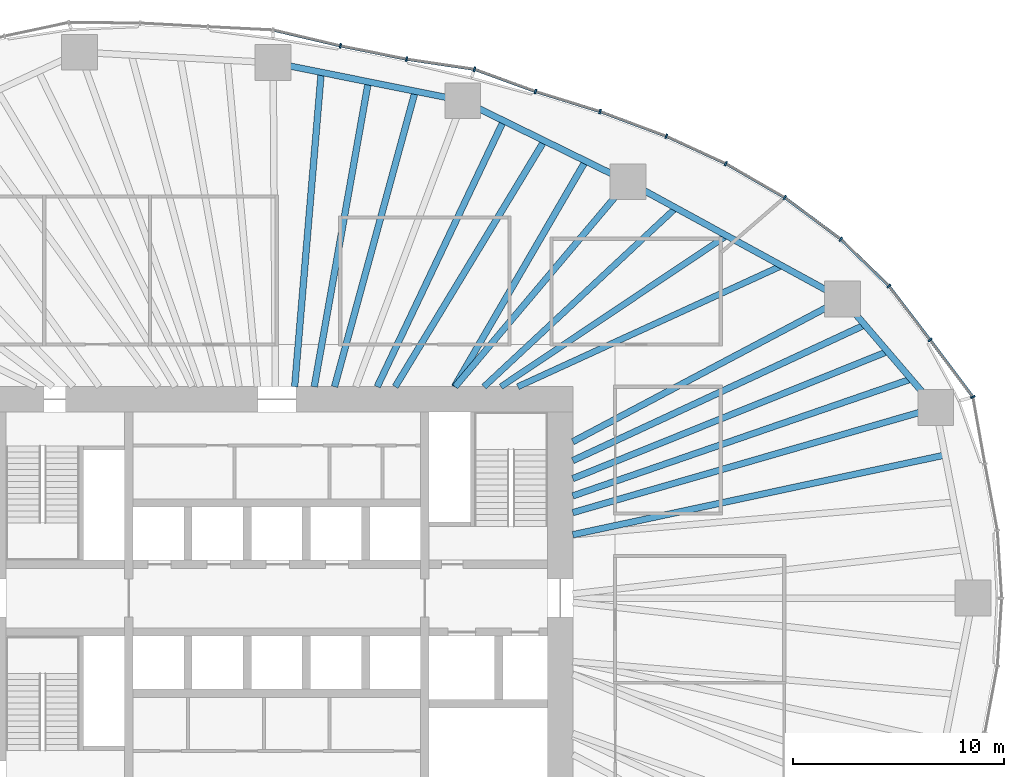
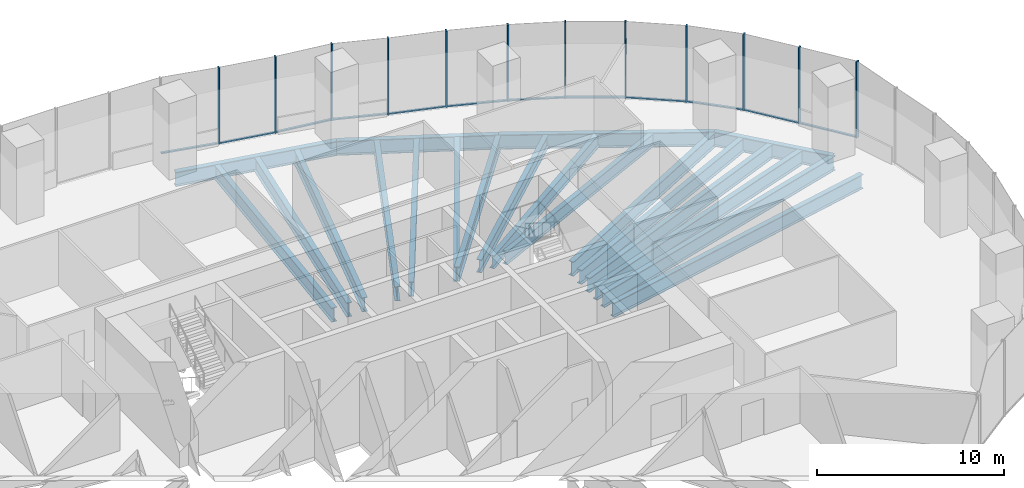
# One storey, part 6 of 20: 24 members, 20 beams, 4 elements without a shape of their own.
"""IFC4 building model written with IfcOpenShell, lengths in metres."""

from ifc_helpers import new_model, si_unit, direction, frame, origin, origin_2d, place, context, subcontext, project, spatial, rectangle, i_section, extrude, material, material_profile, profile_set, type_object, element, aggregate, save


model = new_model("IFC4")

# Units and contexts
model_context = context("Model", 3, precision=1e-05, world=origin(), true_north=direction((0.0, 1.0)))
body_context = subcontext(model_context, "Body", "Model", "MODEL_VIEW")
ifc_project = project(units=[si_unit("LENGTHUNIT", "METRE"), si_unit("AREAUNIT", "SQUARE_METRE"), si_unit("VOLUMEUNIT", "CUBIC_METRE"), si_unit("PLANEANGLEUNIT", "RADIAN"), si_unit("MASSUNIT", "GRAM", prefix="KILO")], contexts=[model_context])

# Site, building, storey
site_placement = place(None, origin())
site = spatial("IfcSite", under=ifc_project, at=site_placement, CompositionType="ELEMENT")
building_placement = place(site_placement, origin())
building = spatial("IfcBuilding", under=site, at=building_placement, Name="Ghaith Harvest Tower", CompositionType="ELEMENT")
storey_placement = place(building_placement, frame((0.0, 0.0, 85.0)))
storey = spatial("IfcBuildingStorey", under=building, at=storey_placement, Name="L17", CompositionType="ELEMENT", Elevation=85.0)

# Curtain wall, members
ifc_material_1 = material(Name="Black anodised aluminium and fritted glass", Category="aluminium")
curtain_wall_type = type_object("IfcCurtainWallType", Name="CW-F CURTAIN WALL", PredefinedType="NOTDEFINED", material=ifc_material_1)
curtain_wall_1_placement = place(storey_placement, origin())
curtain_wall_1 = element("IfcCurtainWall", 1, at=curtain_wall_1_placement, inside=storey, type_object=curtain_wall_type, Name="Curtain wall CW-F bay 02 L17", PredefinedType="NOTDEFINED")
ifc_material_2 = material(Name="Aluminium, black anodised", Category="aluminium")
ifc_material_profile_1 = material_profile(ifc_material_2, rectangle(XDim=0.080078125, YDim=0.219970703125, at=origin_2d()), Name="CW-F MULLION 80x220")
ifc_profile_set_1 = profile_set([ifc_material_profile_1], Name="Aluminium, black anodised")
member_type_1 = type_object("IfcMemberType", Name="CW-F MULLION 80x220", PredefinedType="MULLION", material=ifc_profile_set_1)
member_1_placement = place(storey_placement, frame((32.923583984375, 9.515625, 0.0), z_axis=(0.0, 0.0, 1.0), x_axis=(-0.404701693729, 0.914448762421, 0.0)))
member_1 = element("IfcMember", 2, at=member_1_placement, type_object=member_type_1, Name="CW-F mullion 1 bay 02 L17", PredefinedType="MULLION", context=body_context, shape_type="SweptSolid", body=[
    extrude(rectangle(XDim=0.080078125, YDim=0.219970703125, at=origin_2d()), origin(), (0.0, 0.0, 1.0), 5.0),
])
member_2_placement = place(storey_placement, frame((30.896728515625, 12.215087890625, 0.0), z_axis=(0.0, 0.0, 1.0), x_axis=(-0.603948315345, 0.797023482961, 0.0)))
member_2 = element("IfcMember", 3, at=member_2_placement, type_object=member_type_1, Name="CW-F mullion 2 bay 02 L17", PredefinedType="MULLION", context=body_context, shape_type="SweptSolid", body=[
    extrude(rectangle(XDim=0.080078125, YDim=0.219970703125, at=origin_2d()), origin(), (0.0, 0.0, 1.0), 5.0),
])
member_3_placement = place(storey_placement, frame((28.947021484375, 14.763427734375, 0.0), z_axis=(0.0, 0.0, 1.0), x_axis=(-0.663604797296, 0.748083332929, 0.0)))
member_3 = element("IfcMember", 4, at=member_3_placement, type_object=member_type_1, Name="CW-F mullion 3 bay 02 L17", PredefinedType="MULLION", context=body_context, shape_type="SweptSolid", body=[
    extrude(rectangle(XDim=0.080078125, YDim=0.219970703125, at=origin_2d()), origin(), (0.0, 0.0, 1.0), 5.0),
])

curtain_wall_2_placement = place(storey_placement, origin())
curtain_wall_2 = element("IfcCurtainWall", 5, at=curtain_wall_2_placement, inside=storey, type_object=curtain_wall_type, Name="Curtain wall CW-F bay 03 L17", PredefinedType="NOTDEFINED")
member_4_placement = place(storey_placement, frame((26.673828125, 16.9755859375, 0.0), z_axis=(0.0, 0.0, 1.0), x_axis=(-0.762365981091, 0.647146127915, 0.0)))
member_4 = element("IfcMember", 6, at=member_4_placement, type_object=member_type_1, Name="CW-F mullion 1 bay 03 L17", PredefinedType="MULLION", context=body_context, shape_type="SweptSolid", body=[
    extrude(rectangle(XDim=0.080078125, YDim=0.219970703125, at=origin_2d()), origin(), (0.0, 0.0, 1.0), 5.0),
])
member_5_placement = place(storey_placement, frame((24.018310546875, 18.947265625, 0.0), z_axis=(0.0, 0.0, 1.0), x_axis=(-0.835443516723, 0.549576318963, 0.0)))
member_5 = element("IfcMember", 7, at=member_5_placement, type_object=member_type_1, Name="CW-F mullion 2 bay 03 L17", PredefinedType="MULLION", context=body_context, shape_type="SweptSolid", body=[
    extrude(rectangle(XDim=0.080078125, YDim=0.219970703125, at=origin_2d()), origin(), (0.0, 0.0, 1.0), 5.0),
])
member_6_placement = place(storey_placement, frame((21.2353515625, 20.552978515625, 0.0), z_axis=(0.0, 0.0, 1.0), x_axis=(-0.887896671642, 0.460042933308, 0.0)))
member_6 = element("IfcMember", 8, at=member_6_placement, type_object=member_type_1, Name="CW-F mullion 3 bay 03 L17", PredefinedType="MULLION", context=body_context, shape_type="SweptSolid", body=[
    extrude(rectangle(XDim=0.080078125, YDim=0.219970703125, at=origin_2d()), origin(), (0.0, 0.0, 1.0), 5.0),
])

curtain_wall_3_placement = place(storey_placement, origin())
curtain_wall_3 = element("IfcCurtainWall", 9, at=curtain_wall_3_placement, inside=storey, type_object=curtain_wall_type, Name="Curtain wall CW-F bay 04 L17", PredefinedType="NOTDEFINED")
member_7_placement = place(storey_placement, frame((18.422607421875, 21.8466796875, 0.0), z_axis=(0.0, 0.0, 1.0), x_axis=(-0.923910199252, 0.382609387912, 0.0)))
member_7 = element("IfcMember", 10, at=member_7_placement, type_object=member_type_1, Name="CW-F mullion 1 bay 04 L17", PredefinedType="MULLION", context=body_context, shape_type="SweptSolid", body=[
    extrude(rectangle(XDim=0.080078125, YDim=0.219970703125, at=origin_2d()), origin(), (0.0, 0.0, 1.0), 5.0),
])
member_8_placement = place(storey_placement, frame((15.28759765625, 23.01611328125, 0.0), z_axis=(0.0, 0.0, 1.0), x_axis=(-0.946121020954, 0.323813238933, 0.0)))
member_8 = element("IfcMember", 11, at=member_8_placement, type_object=member_type_1, Name="CW-F mullion 2 bay 04 L17", PredefinedType="MULLION", context=body_context, shape_type="SweptSolid", body=[
    extrude(rectangle(XDim=0.080078125, YDim=0.219970703125, at=origin_2d()), origin(), (0.0, 0.0, 1.0), 5.0),
])
member_9_placement = place(storey_placement, frame((12.234375, 23.964599609375, 0.0), z_axis=(0.0, 0.0, 1.0), x_axis=(-0.947653438436, 0.319300736957, 0.0)))
member_9 = element("IfcMember", 12, at=member_9_placement, type_object=member_type_1, Name="CW-F mullion 3 bay 04 L17", PredefinedType="MULLION", context=body_context, shape_type="SweptSolid", body=[
    extrude(rectangle(XDim=0.080078125, YDim=0.219970703125, at=origin_2d()), origin(), (0.0, 0.0, 1.0), 5.0),
])

curtain_wall_4_placement = place(storey_placement, origin())
curtain_wall_4 = element("IfcCurtainWall", 13, at=curtain_wall_4_placement, inside=storey, type_object=curtain_wall_type, Name="Curtain wall CW-F bay 05 L17", PredefinedType="NOTDEFINED")
member_10_placement = place(storey_placement, frame((9.351806640625, 25.01611328125, 0.0), z_axis=(0.0, 0.0, 1.0), x_axis=(-0.969903429236, 0.243489913461, 0.0)))
member_10 = element("IfcMember", 14, at=member_10_placement, type_object=member_type_1, Name="CW-F mullion 1 bay 05 L17", PredefinedType="MULLION", context=body_context, shape_type="SweptSolid", body=[
    extrude(rectangle(XDim=0.080078125, YDim=0.219970703125, at=origin_2d()), origin(), (0.0, 0.0, 1.0), 5.0),
])
member_11_placement = place(storey_placement, frame((6.136962890625, 25.495361328125, 0.0), z_axis=(0.0, 0.0, 1.0), x_axis=(-0.985103843977, 0.171960508788, 0.0)))
member_11 = element("IfcMember", 15, at=member_11_placement, type_object=member_type_1, Name="CW-F mullion 2 bay 05 L17", PredefinedType="MULLION", context=body_context, shape_type="SweptSolid", body=[
    extrude(rectangle(XDim=0.080078125, YDim=0.219970703125, at=origin_2d()), origin(), (0.0, 0.0, 1.0), 5.0),
])
member_12_placement = place(storey_placement, frame((3.00927734375, 26.123291015625, 0.0), z_axis=(0.0, 0.0, 1.0), x_axis=(-0.976927332869, 0.213571969822, 0.0)))
member_12 = element("IfcMember", 16, at=member_12_placement, type_object=member_type_1, Name="CW-F mullion 3 bay 05 L17", PredefinedType="MULLION", context=body_context, shape_type="SweptSolid", body=[
    extrude(rectangle(XDim=0.080078125, YDim=0.219970703125, at=origin_2d()), origin(), (0.0, 0.0, 1.0), 5.0),
])

# Member
ifc_material_3 = material(Name="Aluminium, black anodised", Category="aluminium")
ifc_material_profile_2 = material_profile(ifc_material_3, rectangle(XDim=0.139892578125, YDim=0.080078125, at=origin_2d()), Name="CW-F TRANSOM 140x80")
ifc_profile_set_2 = profile_set([ifc_material_profile_2], Name="Aluminium, black anodised")
member_type_2 = type_object("IfcMemberType", Name="CW-F TRANSOM 140x80", PredefinedType="USERDEFINED", material=ifc_profile_set_2)
member_13_placement = place(storey_placement, frame((32.899658203125, 9.547607421875, 0.0400390625), z_axis=(-0.600462135687, 0.799653189581, 0.0), x_axis=(-0.799653189581, -0.600462135687, 0.0)))
member_13 = element("IfcMember", 17, at=member_13_placement, type_object=member_type_2, Name="CW-F transom 1 bay 02 L17", ObjectType="TRANSOM", PredefinedType="USERDEFINED", context=body_context, shape_type="SweptSolid", body=[
    extrude(rectangle(XDim=0.139892578125, YDim=0.080078125, at=origin_2d()), origin(), (0.0, 0.0, 1.0), 3.2958984375),
])

member_14_placement = place(storey_placement, frame((30.87255859375, 12.246826171875, 0.0400390625), z_axis=(-0.607638356471, 0.794213842579, 0.0), x_axis=(-0.794213842579, -0.607638356471, 0.0)))
member_14 = element("IfcMember", 18, at=member_14_placement, type_object=member_type_2, Name="CW-F transom 2 bay 02 L17", ObjectType="TRANSOM", PredefinedType="USERDEFINED", context=body_context, shape_type="SweptSolid", body=[
    extrude(rectangle(XDim=0.139892578125, YDim=0.080078125, at=origin_2d()), origin(), (0.0, 0.0, 1.0), 3.128662109375),
])

member_15_placement = place(storey_placement, frame((28.91845703125, 14.791259765625, 0.0400390625), z_axis=(-0.71671313139, 0.697368114623, 0.0), x_axis=(-0.697368114623, -0.71671313139, 0.0)))
member_15 = element("IfcMember", 19, at=member_15_placement, type_object=member_type_2, Name="CW-F transom 3 bay 02 L17", ObjectType="TRANSOM", PredefinedType="USERDEFINED", context=body_context, shape_type="SweptSolid", body=[
    extrude(rectangle(XDim=0.139892578125, YDim=0.080078125, at=origin_2d()), origin(), (0.0, 0.0, 1.0), 3.092041015625),
])

aggregate(curtain_wall_1, [member_1, member_13, member_2, member_14, member_3, member_15])

member_16_placement = place(storey_placement, frame((26.641845703125, 16.999267578125, 0.0400390625), z_axis=(-0.802877287823, 0.596144328748, 0.0), x_axis=(-0.596144328748, -0.802877287823, 0.0)))
member_16 = element("IfcMember", 20, at=member_16_placement, type_object=member_type_2, Name="CW-F transom 1 bay 03 L17", ObjectType="TRANSOM", PredefinedType="USERDEFINED", context=body_context, shape_type="SweptSolid", body=[
    extrude(rectangle(XDim=0.139892578125, YDim=0.080078125, at=origin_2d()), origin(), (0.0, 0.0, 1.0), 3.2275390625),
])

member_17_placement = place(storey_placement, frame((23.983642578125, 18.96728515625, 0.0400390625), z_axis=(-0.866168719914, 0.499751686983, 0.0), x_axis=(-0.499751686983, -0.866168719914, 0.0)))
member_17 = element("IfcMember", 21, at=member_17_placement, type_object=member_type_2, Name="CW-F transom 2 bay 03 L17", ObjectType="TRANSOM", PredefinedType="USERDEFINED", context=body_context, shape_type="SweptSolid", body=[
    extrude(rectangle(XDim=0.139892578125, YDim=0.080078125, at=origin_2d()), origin(), (0.0, 0.0, 1.0), 3.1328125),
])

member_18_placement = place(storey_placement, frame((21.19921875, 20.56982421875, 0.0400390625), z_axis=(-0.908553137239, 0.417769310521, 0.0), x_axis=(-0.417769310521, -0.908553137239, 0.0)))
member_18 = element("IfcMember", 22, at=member_18_placement, type_object=member_type_2, Name="CW-F transom 3 bay 03 L17", ObjectType="TRANSOM", PredefinedType="USERDEFINED", context=body_context, shape_type="SweptSolid", body=[
    extrude(rectangle(XDim=0.139892578125, YDim=0.080078125, at=origin_2d()), origin(), (0.0, 0.0, 1.0), 3.01611328125),
])

aggregate(curtain_wall_2, [member_4, member_16, member_5, member_17, member_6, member_18])

member_19_placement = place(storey_placement, frame((18.385009765625, 21.860595703125, 0.0400390625), z_axis=(-0.936923785579, 0.349533717996, 0.0), x_axis=(-0.349533717996, -0.936923785579, 0.0)))
member_19 = element("IfcMember", 23, at=member_19_placement, type_object=member_type_2, Name="CW-F transom 1 bay 04 L17", ObjectType="TRANSOM", PredefinedType="USERDEFINED", context=body_context, shape_type="SweptSolid", body=[
    extrude(rectangle(XDim=0.139892578125, YDim=0.080078125, at=origin_2d()), origin(), (0.0, 0.0, 1.0), 3.26611328125),
])

member_20_placement = place(storey_placement, frame((15.249267578125, 23.028076171875, 0.0400390625), z_axis=(-0.954998362353, 0.296611071781, 0.0), x_axis=(-0.296611071781, -0.954998362353, 0.0)))
member_20 = element("IfcMember", 24, at=member_20_placement, type_object=member_type_2, Name="CW-F transom 2 bay 04 L17", ObjectType="TRANSOM", PredefinedType="USERDEFINED", context=body_context, shape_type="SweptSolid", body=[
    extrude(rectangle(XDim=0.139892578125, YDim=0.080078125, at=origin_2d()), origin(), (0.0, 0.0, 1.0), 3.1171875),
])

member_21_placement = place(storey_placement, frame((12.19677734375, 23.978271484375, 0.0400390625), z_axis=(-0.939437502081, 0.342720264478, 0.0), x_axis=(-0.342720264478, -0.939437502081, 0.0)))
member_21 = element("IfcMember", 25, at=member_21_placement, type_object=member_type_2, Name="CW-F transom 3 bay 04 L17", ObjectType="TRANSOM", PredefinedType="USERDEFINED", context=body_context, shape_type="SweptSolid", body=[
    extrude(rectangle(XDim=0.139892578125, YDim=0.080078125, at=origin_2d()), origin(), (0.0, 0.0, 1.0), 2.98828125),
])

aggregate(curtain_wall_3, [member_7, member_19, member_8, member_20, member_9, member_21])

member_22_placement = place(storey_placement, frame((9.312255859375, 25.02197265625, 0.0400390625), z_axis=(-0.989078238205, 0.147391447207, 0.0), x_axis=(-0.147391447207, -0.989078238205, 0.0)))
member_22 = element("IfcMember", 26, at=member_22_placement, type_object=member_type_2, Name="CW-F transom 1 bay 05 L17", ObjectType="TRANSOM", PredefinedType="USERDEFINED", context=body_context, shape_type="SweptSolid", body=[
    extrude(rectangle(XDim=0.139892578125, YDim=0.080078125, at=origin_2d()), origin(), (0.0, 0.0, 1.0), 3.17041015625),
])

member_23_placement = place(storey_placement, frame((6.097900390625, 25.503173828125, 0.0400390625), z_axis=(-0.980432471193, 0.196855707129, 0.0), x_axis=(-0.196855707129, -0.980432471193, 0.0)))
member_23 = element("IfcMember", 27, at=member_23_placement, type_object=member_type_2, Name="CW-F transom 2 bay 05 L17", ObjectType="TRANSOM", PredefinedType="USERDEFINED", context=body_context, shape_type="SweptSolid", body=[
    extrude(rectangle(XDim=0.139892578125, YDim=0.080078125, at=origin_2d()), origin(), (0.0, 0.0, 1.0), 3.1103515625),
])

member_24_placement = place(storey_placement, frame((2.97021484375, 26.132568359375, 0.0400390625), z_axis=(-0.973252867589, 0.229736491942, 0.0), x_axis=(-0.229736491942, -0.973252867589, 0.0)))
member_24 = element("IfcMember", 28, at=member_24_placement, type_object=member_type_2, Name="CW-F transom 3 bay 05 L17", ObjectType="TRANSOM", PredefinedType="USERDEFINED", context=body_context, shape_type="SweptSolid", body=[
    extrude(rectangle(XDim=0.139892578125, YDim=0.080078125, at=origin_2d()), origin(), (0.0, 0.0, 1.0), 3.200927734375),
])

aggregate(curtain_wall_4, [member_10, member_22, member_11, member_23, member_12, member_24])

# Beams
ifc_material_4 = material(Name="Steel ASTM A992 Grade 50", Category="steel")
ifc_material_profile_3 = material_profile(ifc_material_4, i_section(OverallWidth=0.306884765625, OverallDepth=0.94189453125, WebThickness=0.022216796875, FlangeThickness=0.039794921875, at=origin_2d()), Name="W920X345")
ifc_profile_set_3 = profile_set([ifc_material_profile_3], Name="Steel ASTM A992 Grade 50")
beam_type_1 = type_object("IfcBeamType", Name="E920-345 W920X345", PredefinedType="SPANDREL", material=ifc_profile_set_3)
beam_1_placement = place(storey_placement, frame((31.166015625, 9.008056640625, -0.6708984375), z_axis=(-0.65056255283, 0.759452674533, 0.0), x_axis=(-0.759452674533, -0.65056255283, 0.0)))
element("IfcBeam", 29, at=beam_1_placement, inside=storey, type_object=beam_type_1, Name="Edge beam E02 L17", PredefinedType="SPANDREL", context=body_context, shape_type="SweptSolid", body=[
    extrude(i_section(OverallWidth=0.306884765625, OverallDepth=0.94189453125, WebThickness=0.022216796875, FlangeThickness=0.039794921875, at=origin_2d()), origin(), (0.0, 0.0, 1.0), 6.7666015625),
])
beam_2_placement = place(storey_placement, frame((26.763916015625, 14.14697265625, -0.6708984375), z_axis=(-0.877588218279, 0.479415184509, 0.0), x_axis=(-0.479415184509, -0.877588218279, 0.0)))
element("IfcBeam", 30, at=beam_2_placement, inside=storey, type_object=beam_type_1, Name="Edge beam E03 L17", PredefinedType="SPANDREL", context=body_context, shape_type="SweptSolid", body=[
    extrude(i_section(OverallWidth=0.306884765625, OverallDepth=0.94189453125, WebThickness=0.022216796875, FlangeThickness=0.039794921875, at=origin_2d()), origin(), (0.0, 0.0, 1.0), 11.57275390625),
])
beam_3_placement = place(storey_placement, frame((16.60791015625, 19.695068359375, -0.6708984375), z_axis=(-0.897823733825, 0.440355019252, 0.0), x_axis=(-0.440355019252, -0.897823733825, 0.0)))
element("IfcBeam", 31, at=beam_3_placement, inside=storey, type_object=beam_type_1, Name="Edge beam E04 L17", PredefinedType="SPANDREL", context=body_context, shape_type="SweptSolid", body=[
    extrude(i_section(OverallWidth=0.306884765625, OverallDepth=0.94189453125, WebThickness=0.022216796875, FlangeThickness=0.039794921875, at=origin_2d()), origin(), (0.0, 0.0, 1.0), 8.7021484375),
])
beam_4_placement = place(storey_placement, frame((8.794921875, 23.527099609375, -0.6708984375), z_axis=(-0.980450082464, 0.196767974517, 0.0), x_axis=(-0.196767974517, -0.980450082464, 0.0)))
element("IfcBeam", 32, at=beam_4_placement, inside=storey, type_object=beam_type_1, Name="Edge beam E05 L17", PredefinedType="SPANDREL", context=body_context, shape_type="SweptSolid", body=[
    extrude(i_section(OverallWidth=0.306884765625, OverallDepth=0.94189453125, WebThickness=0.022216796875, FlangeThickness=0.039794921875, at=origin_2d()), origin(), (0.0, 0.0, 1.0), 9.146728515625),
])
ifc_material_5 = material(Name="Steel ASTM A992 Grade 50", Category="steel")
ifc_material_profile_4 = material_profile(ifc_material_5, i_section(OverallWidth=0.306884765625, OverallDepth=0.94189453125, WebThickness=0.022216796875, FlangeThickness=0.039794921875, at=origin_2d()), Name="W920X345")
ifc_profile_set_4 = profile_set([ifc_material_profile_4], Name="Steel ASTM A992 Grade 50")
beam_type_2 = type_object("IfcBeamType", Name="G920-345 W920X345", PredefinedType="BEAM", material=ifc_profile_set_4)
beam_5_placement = place(storey_placement, frame((14.0, 4.04638671875, -0.6708984375), z_axis=(0.960675395102, 0.277673882903, 0.0), x_axis=(-0.277673882903, 0.960675395102, 0.0)))
element("IfcBeam", 33, at=beam_5_placement, inside=storey, type_object=beam_type_2, Name="Radial girder G02 L17", PredefinedType="BEAM", context=body_context, shape_type="SweptSolid", body=[
    extrude(i_section(OverallWidth=0.306884765625, OverallDepth=0.94189453125, WebThickness=0.022216796875, FlangeThickness=0.039794921875, at=origin_2d()), origin(), (0.0, 0.0, 1.0), 17.86865234375),
])
beam_6_placement = place(storey_placement, frame((14.0, 7.39990234375, -0.6708984375), z_axis=(0.884082663971, 0.467330550324, 0.0), x_axis=(-0.467330550324, 0.884082663971, 0.0)))
element("IfcBeam", 34, at=beam_6_placement, inside=storey, type_object=beam_type_2, Name="Radial girder G03 L17", PredefinedType="BEAM", context=body_context, shape_type="SweptSolid", body=[
    extrude(i_section(OverallWidth=0.306884765625, OverallDepth=0.94189453125, WebThickness=0.022216796875, FlangeThickness=0.039794921875, at=origin_2d()), origin(), (0.0, 0.0, 1.0), 14.4375),
])
beam_7_placement = place(storey_placement, frame((8.4326171875, 10.0, -0.6708984375), z_axis=(0.644644245772, 0.764482698557, 0.0), x_axis=(-0.764482698557, 0.644644245772, 0.0)))
element("IfcBeam", 35, at=beam_7_placement, inside=storey, type_object=beam_type_2, Name="Radial girder G04 L17", PredefinedType="BEAM", context=body_context, shape_type="SweptSolid", body=[
    extrude(i_section(OverallWidth=0.306884765625, OverallDepth=0.94189453125, WebThickness=0.022216796875, FlangeThickness=0.039794921875, at=origin_2d()), origin(), (0.0, 0.0, 1.0), 12.681884765625),
])
ifc_material_6 = material(Name="Steel ASTM A992 Grade 50", Category="steel")
ifc_material_profile_5 = material_profile(ifc_material_6, i_section(OverallWidth=0.2939453125, OverallDepth=0.85107421875, WebThickness=0.01611328125, FlangeThickness=0.02685546875, at=origin_2d()), Name="W840X226")
ifc_profile_set_5 = profile_set([ifc_material_profile_5], Name="Steel ASTM A992 Grade 50")
beam_type_3 = type_object("IfcBeamType", Name="J840-226 W840X226", PredefinedType="JOIST", material=ifc_profile_set_5)
beam_8_placement = place(storey_placement, frame((11.39990234375, 10.0, -0.62548828125), z_axis=(0.909014022454, 0.416765529983, 0.0), x_axis=(-0.416765529983, 0.909014022454, 0.0)))
element("IfcBeam", 36, at=beam_8_placement, inside=storey, type_object=beam_type_3, Name="Joist J03.1 L17", PredefinedType="JOIST", context=body_context, shape_type="SweptSolid", body=[
    extrude(i_section(OverallWidth=0.2939453125, OverallDepth=0.85107421875, WebThickness=0.01611328125, FlangeThickness=0.02685546875, at=origin_2d()), origin(), (0.0, 0.0, 1.0), 13.72998046875),
])
beam_9_placement = place(storey_placement, frame((10.60009765625, 10.0, -0.62548828125), z_axis=(0.831116486766, 0.556098359489, 0.0), x_axis=(-0.556098359489, 0.831116486766, 0.0)))
element("IfcBeam", 37, at=beam_9_placement, inside=storey, type_object=beam_type_3, Name="Joist J03.2 L17", PredefinedType="JOIST", context=body_context, shape_type="SweptSolid", body=[
    extrude(i_section(OverallWidth=0.2939453125, OverallDepth=0.85107421875, WebThickness=0.01611328125, FlangeThickness=0.02685546875, at=origin_2d()), origin(), (0.0, 0.0, 1.0), 12.84716796875),
])
beam_10_placement = place(storey_placement, frame((9.800048828125, 10.0, -0.62548828125), z_axis=(0.731538123562, 0.681800538116, 0.0), x_axis=(-0.681800538116, 0.731538123562, 0.0)))
element("IfcBeam", 38, at=beam_10_placement, inside=storey, type_object=beam_type_3, Name="Joist J03.3 L17", PredefinedType="JOIST", context=body_context, shape_type="SweptSolid", body=[
    extrude(i_section(OverallWidth=0.2939453125, OverallDepth=0.85107421875, WebThickness=0.01611328125, FlangeThickness=0.02685546875, at=origin_2d()), origin(), (0.0, 0.0, 1.0), 12.404052734375),
])
ifc_material_7 = material(Name="Steel ASTM A992 Grade 50", Category="steel")
ifc_material_profile_6 = material_profile(ifc_material_7, i_section(OverallWidth=0.31005859375, OverallDepth=0.927001953125, WebThickness=0.019287109375, FlangeThickness=0.031982421875, at=origin_2d()), Name="W920X289")
ifc_profile_set_6 = profile_set([ifc_material_profile_6], Name="Steel ASTM A992 Grade 50")
beam_type_4 = type_object("IfcBeamType", Name="J920-289 W920X289", PredefinedType="JOIST", material=ifc_profile_set_6)
beam_11_placement = place(storey_placement, frame((14.0, 6.506103515625, -0.66357421875), z_axis=(0.906862619792, 0.421426374144, 0.0), x_axis=(-0.421426374144, 0.906862619792, 0.0)))
element("IfcBeam", 39, at=beam_11_placement, inside=storey, type_object=beam_type_4, Name="Joist J02.3 L17", PredefinedType="JOIST", context=body_context, shape_type="SweptSolid", body=[
    extrude(i_section(OverallWidth=0.31005859375, OverallDepth=0.927001953125, WebThickness=0.019287109375, FlangeThickness=0.031982421875, at=origin_2d()), origin(), (0.0, 0.0, 1.0), 15.229736328125),
])
beam_12_placement = place(storey_placement, frame((8.39990234375, 10.0, -0.66357421875), z_axis=(0.50228574324, 0.864701701246, 0.0), x_axis=(-0.864701701246, 0.50228574324, 0.0)))
element("IfcBeam", 40, at=beam_12_placement, inside=storey, type_object=beam_type_4, Name="Joist J04.1 L17", PredefinedType="JOIST", context=body_context, shape_type="SweptSolid", body=[
    extrude(i_section(OverallWidth=0.31005859375, OverallDepth=0.927001953125, WebThickness=0.019287109375, FlangeThickness=0.031982421875, at=origin_2d()), origin(), (0.0, 0.0, 1.0), 12.349365234375),
])
beam_13_placement = place(storey_placement, frame((5.60009765625, 10.0, -0.66357421875), z_axis=(0.518319612023, 0.85518698528, 0.0), x_axis=(-0.85518698528, 0.518319612023, 0.0)))
element("IfcBeam", 41, at=beam_13_placement, inside=storey, type_object=beam_type_4, Name="Joist J04.2 L17", PredefinedType="JOIST", context=body_context, shape_type="SweptSolid", body=[
    extrude(i_section(OverallWidth=0.31005859375, OverallDepth=0.927001953125, WebThickness=0.019287109375, FlangeThickness=0.031982421875, at=origin_2d()), origin(), (0.0, 0.0, 1.0), 13.60546875),
])
beam_14_placement = place(storey_placement, frame((4.75, 10.0, -0.66357421875), z_axis=(0.429059675117, 0.903276145588, 0.0), x_axis=(-0.903276145588, 0.429059675117, 0.0)))
element("IfcBeam", 42, at=beam_14_placement, inside=storey, type_object=beam_type_4, Name="Joist J04.3 L17", PredefinedType="JOIST", context=body_context, shape_type="SweptSolid", body=[
    extrude(i_section(OverallWidth=0.31005859375, OverallDepth=0.927001953125, WebThickness=0.019287109375, FlangeThickness=0.031982421875, at=origin_2d()), origin(), (0.0, 0.0, 1.0), 13.92724609375),
])
beam_15_placement = place(storey_placement, frame((2.73095703125, 10.0, -0.66357421875), z_axis=(0.263455282447, 0.964671609487, 0.0), x_axis=(-0.964671609487, 0.263455282447, 0.0)))
element("IfcBeam", 43, at=beam_15_placement, inside=storey, type_object=beam_type_4, Name="Joist J05.1 L17", PredefinedType="JOIST", context=body_context, shape_type="SweptSolid", body=[
    extrude(i_section(OverallWidth=0.31005859375, OverallDepth=0.927001953125, WebThickness=0.019287109375, FlangeThickness=0.031982421875, at=origin_2d()), origin(), (0.0, 0.0, 1.0), 14.48974609375),
])
beam_16_placement = place(storey_placement, frame((1.772705078125, 10.0, -0.66357421875), z_axis=(0.174552574354, 0.984647855218, 0.0), x_axis=(-0.984647855218, 0.174552574354, 0.0)))
element("IfcBeam", 44, at=beam_16_placement, inside=storey, type_object=beam_type_4, Name="Joist J05.2 L17", PredefinedType="JOIST", context=body_context, shape_type="SweptSolid", body=[
    extrude(i_section(OverallWidth=0.31005859375, OverallDepth=0.927001953125, WebThickness=0.019287109375, FlangeThickness=0.031982421875, at=origin_2d()), origin(), (0.0, 0.0, 1.0), 14.648193359375),
])
beam_17_placement = place(storey_placement, frame((0.844970703125, 10.0, -0.66357421875), z_axis=(0.084219252187, 0.996447247756, 0.0), x_axis=(-0.996447247756, 0.084219252187, 0.0)))
element("IfcBeam", 45, at=beam_17_placement, inside=storey, type_object=beam_type_4, Name="Joist J05.3 L17", PredefinedType="JOIST", context=body_context, shape_type="SweptSolid", body=[
    extrude(i_section(OverallWidth=0.31005859375, OverallDepth=0.927001953125, WebThickness=0.019287109375, FlangeThickness=0.031982421875, at=origin_2d()), origin(), (0.0, 0.0, 1.0), 14.92333984375),
])
ifc_material_8 = material(Name="Steel ASTM A992 Grade 50", Category="steel")
ifc_material_profile_7 = material_profile(ifc_material_8, i_section(OverallWidth=0.306884765625, OverallDepth=0.94189453125, WebThickness=0.022216796875, FlangeThickness=0.039794921875, at=origin_2d()), Name="W920X345")
ifc_profile_set_7 = profile_set([ifc_material_profile_7], Name="Steel ASTM A992 Grade 50")
beam_type_5 = type_object("IfcBeamType", Name="J920-345 W920X345", PredefinedType="JOIST", material=ifc_profile_set_7)
beam_18_placement = place(storey_placement, frame((14.0, 3.0, -0.6708984375), z_axis=(0.977831380626, 0.209393865869, 0.0), x_axis=(-0.209393865869, 0.977831380626, 0.0)))
element("IfcBeam", 46, at=beam_18_placement, inside=storey, type_object=beam_type_5, Name="Joist J01.3 L17", PredefinedType="JOIST", context=body_context, shape_type="SweptSolid", body=[
    extrude(i_section(OverallWidth=0.306884765625, OverallDepth=0.94189453125, WebThickness=0.022216796875, FlangeThickness=0.039794921875, at=origin_2d()), origin(), (0.0, 0.0, 1.0), 18.002197265625),
])
beam_19_placement = place(storey_placement, frame((14.0, 4.835693359375, -0.6708984375), z_axis=(0.945204767809, 0.326478095607, 0.0), x_axis=(-0.326478095607, 0.945204767809, 0.0)))
element("IfcBeam", 47, at=beam_19_placement, inside=storey, type_object=beam_type_5, Name="Joist J02.1 L17", PredefinedType="JOIST", context=body_context, shape_type="SweptSolid", body=[
    extrude(i_section(OverallWidth=0.306884765625, OverallDepth=0.94189453125, WebThickness=0.022216796875, FlangeThickness=0.039794921875, at=origin_2d()), origin(), (0.0, 0.0, 1.0), 16.932373046875),
])
beam_20_placement = place(storey_placement, frame((14.0, 5.653564453125, -0.6708984375), z_axis=(0.927252192145, 0.374437407536, 0.0), x_axis=(-0.374437407536, 0.927252192145, 0.0)))
element("IfcBeam", 48, at=beam_20_placement, inside=storey, type_object=beam_type_5, Name="Joist J02.2 L17", PredefinedType="JOIST", context=body_context, shape_type="SweptSolid", body=[
    extrude(i_section(OverallWidth=0.306884765625, OverallDepth=0.94189453125, WebThickness=0.022216796875, FlangeThickness=0.039794921875, at=origin_2d()), origin(), (0.0, 0.0, 1.0), 16.057373046875),
])

save(model, "model.ifc")
